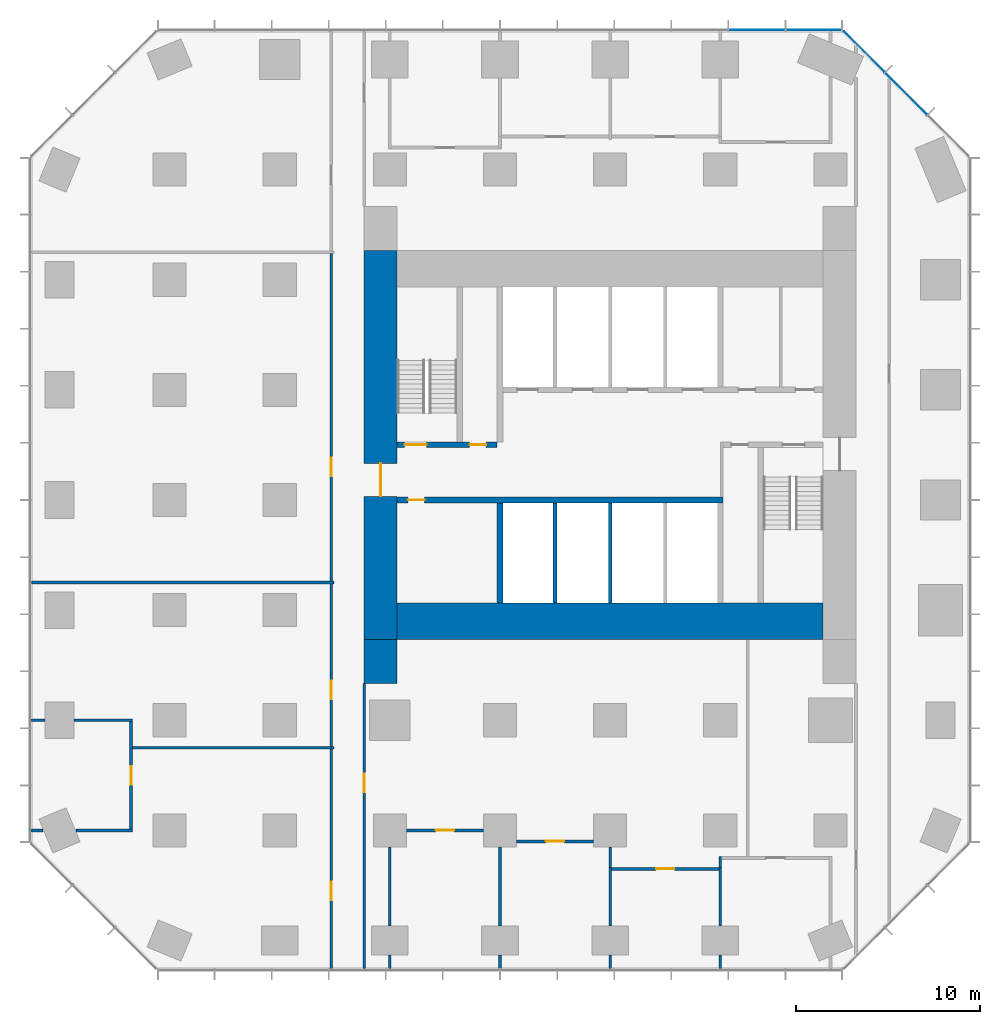
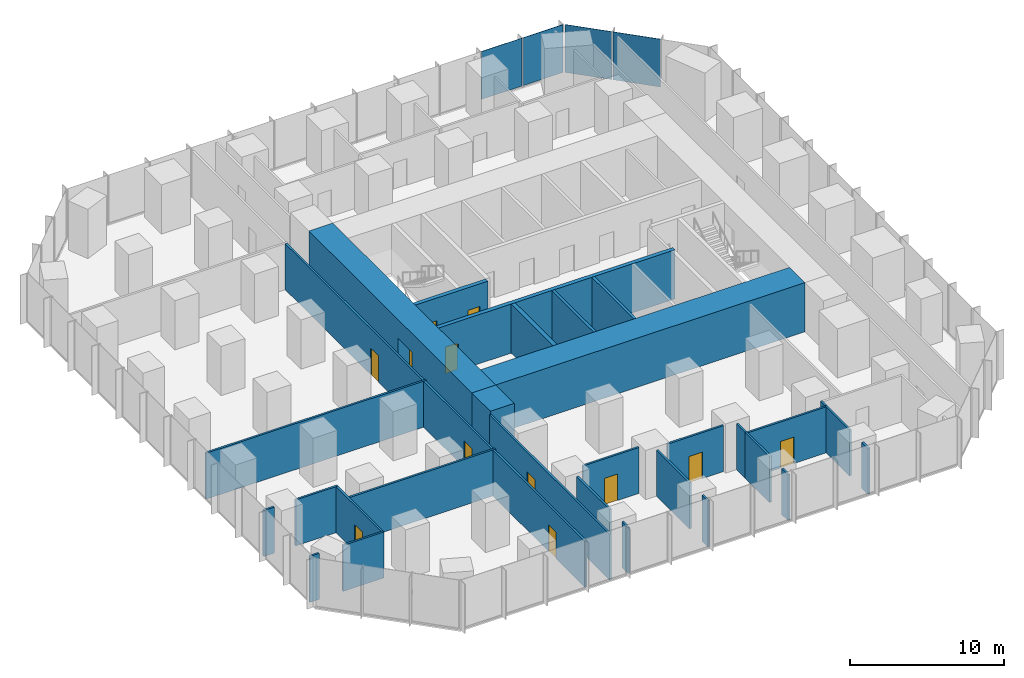
# One storey, part 8 of 11: 32 walls, 12 doors, 4 plates, 12 openings, 2 elements without a shape of their own.
"""IFC4 building model written with IfcOpenShell, lengths in metres."""

from ifc_helpers import new_model, si_unit, direction, frame, frame_2d, origin, origin_2d, place, context, subcontext, project, spatial, rectangle, extrude, material, layer, layer_set, type_object, element, fill, aggregate, save


model = new_model("IFC4")

# Units and contexts
model_context = context("Model", 3, precision=1e-05, world=origin(), true_north=direction((0.0, 1.0)))
body_context = subcontext(model_context, "Body", "Model", "MODEL_VIEW")
ifc_project = project(units=[si_unit("LENGTHUNIT", "METRE"), si_unit("AREAUNIT", "SQUARE_METRE"), si_unit("VOLUMEUNIT", "CUBIC_METRE"), si_unit("PLANEANGLEUNIT", "RADIAN"), si_unit("MASSUNIT", "GRAM", prefix="KILO")], contexts=[model_context])

# Site, building, storey
site_placement = place(None, origin())
site = spatial("IfcSite", under=ifc_project, at=site_placement, CompositionType="ELEMENT")
building_placement = place(site_placement, origin())
building = spatial("IfcBuilding", under=site, at=building_placement, Name="Highveld Stack Headquarters", CompositionType="ELEMENT")
storey_placement = place(building_placement, frame((0.0, 0.0, 33.800048828125)))
storey = spatial("IfcBuildingStorey", under=building, at=storey_placement, Name="L07", CompositionType="ELEMENT", Elevation=33.800048828125)

# Curtain wall, plates
ifc_material_1 = material(Name="Aluminium bronze anodised", Category="aluminium")
ifc_layer_1 = layer(ifc_material_1, 0.199951171875)
ifc_layer_set_1 = layer_set([ifc_layer_1], Name="Aluminium bronze anodised")
curtain_wall_type_1 = type_object("IfcCurtainWallType", Name="CW1 TOWER UNITISED CURTAIN WALL", PredefinedType="NOTDEFINED", material=ifc_layer_set_1)
curtain_wall_1_placement = place(storey_placement, origin())
curtain_wall_1 = element("IfcCurtainWall", 1, at=curtain_wall_1_placement, inside=storey, type_object=curtain_wall_type_1, Name="Curtain wall CW1 L07 N", PredefinedType="NOTDEFINED")
ifc_material_2 = material(Name="Glass bronze tinted double glazed unit", Category="glass")
ifc_layer_2 = layer(ifc_material_2, 0.028076171875)
ifc_layer_set_2 = layer_set([ifc_layer_2], Name="Glass bronze tinted double glazed unit")
plate_type_1 = type_object("IfcPlateType", Name="CW1 PANEL BRONZE TINTED DOUBLE GLAZED UNIT", PredefinedType="CURTAIN_PANEL", material=ifc_layer_set_2)
plate_1_placement = place(storey_placement, frame((17.09130859375, 25.60009765625, 0.10009765625), z_axis=(0.0, 0.0, 1.0), x_axis=(-1.0, 0.0, 0.0)))
plate_1 = element("IfcPlate", 2, at=plate_1_placement, type_object=plate_type_1, Name="CW1 panel L07 1.1", PredefinedType="CURTAIN_PANEL", context=body_context, shape_type="SweptSolid", body=[
    extrude(rectangle(XDim=3.012939453125, YDim=0.028076171875, at=origin_2d()), origin(), (0.0, 0.0, 1.0), 3.800048828125),
])
plate_2_placement = place(storey_placement, frame((13.9970703125, 25.60009765625, 0.10009765625), z_axis=(0.0, 0.0, 1.0), x_axis=(-1.0, 0.0, 0.0)))
plate_2 = element("IfcPlate", 3, at=plate_2_placement, type_object=plate_type_1, Name="CW1 panel L07 2.1", PredefinedType="CURTAIN_PANEL", context=body_context, shape_type="SweptSolid", body=[
    extrude(rectangle(XDim=3.04541015625, YDim=0.028076171875, at=origin_2d()), origin(), (0.0, 0.0, 1.0), 3.800048828125),
])
aggregate(curtain_wall_1, [plate_1, plate_2])

ifc_material_3 = material(Name="Aluminium bronze anodised", Category="aluminium")
ifc_layer_3 = layer(ifc_material_3, 0.199951171875)
ifc_layer_set_3 = layer_set([ifc_layer_3], Name="Aluminium bronze anodised")
curtain_wall_type_2 = type_object("IfcCurtainWallType", Name="CW2 TOWER CHAMFER UNITISED CURTAIN WALL", PredefinedType="NOTDEFINED", material=ifc_layer_set_3)
curtain_wall_2_placement = place(storey_placement, origin())
curtain_wall_2 = element("IfcCurtainWall", 4, at=curtain_wall_2_placement, inside=storey, type_object=curtain_wall_type_2, Name="Curtain wall CW2 L07 NE", PredefinedType="NOTDEFINED")
ifc_material_4 = material(Name="Glass bronze tinted double glazed unit", Category="glass")
ifc_layer_4 = layer(ifc_material_4, 0.028076171875)
ifc_layer_set_4 = layer_set([ifc_layer_4], Name="Glass bronze tinted double glazed unit")
plate_type_2 = type_object("IfcPlateType", Name="CW2 PANEL BRONZE TINTED DOUBLE GLAZED UNIT", PredefinedType="CURTAIN_PANEL", material=ifc_layer_set_4)
plate_3_placement = place(storey_placement, frame((22.13134765625, 22.13134765625, 0.10009765625), z_axis=(0.0, 0.0, 1.0), x_axis=(-0.707106781187, 0.707106781187, 0.0)))
plate_3 = element("IfcPlate", 5, at=plate_3_placement, type_object=plate_type_2, Name="CW2 panel L07 2.1", PredefinedType="CURTAIN_PANEL", context=body_context, shape_type="SweptSolid", body=[
    extrude(rectangle(XDim=3.205322265625, YDim=0.028076171875, at=origin_2d()), origin(), (0.0, 0.0, 1.0), 3.800048828125),
])
plate_4_placement = place(storey_placement, frame((19.8427734375, 24.419921875, 0.10009765625), z_axis=(0.0, 0.0, 1.0), x_axis=(-0.707106781187, 0.707106781187, 0.0)))
plate_4 = element("IfcPlate", 6, at=plate_4_placement, type_object=plate_type_2, Name="CW2 panel L07 3.1", PredefinedType="CURTAIN_PANEL", context=body_context, shape_type="SweptSolid", body=[
    extrude(rectangle(XDim=3.1376953125, YDim=0.028076171875, at=origin_2d()), origin(), (0.0, 0.0, 1.0), 3.800048828125),
])
aggregate(curtain_wall_2, [plate_3, plate_4])

# Wall, opening, door
ifc_material_5 = material(Name="Concrete C60/75", Category="concrete")
ifc_layer_5 = layer(ifc_material_5, 1.800048828125)
ifc_layer_set_5 = layer_set([ifc_layer_5], Name="Concrete C60/75")
wall_type_1 = type_object("IfcWallType", Name="CORE WALL 1800 C60/75", PredefinedType="SHEAR", material=ifc_layer_set_5)
wall_1_placement = place(storey_placement, frame((-6.5, -7.60009765625, 0.0), z_axis=(0.0, 0.0, 1.0), x_axis=(0.0, 1.0, 0.0)))
wall_1 = element("IfcWall", 7, at=wall_1_placement, inside=storey, type_object=wall_type_1, Name="Core wall W L07", PredefinedType="SHEAR", context=body_context, shape_type="SweptSolid", body=[
    extrude(rectangle(XDim=21.2001953125, YDim=1.800048828125, at=frame_2d((10.60009765625, 0.0))), origin(), (0.0, 0.0, 1.0), 3.89990234375),
])
opening_1_placement = place(wall_1_placement, frame((7.800048828125, 0.0, 0.0)))
opening_1 = element("IfcOpeningElement", 8, at=opening_1_placement, cuts=wall_1, Name="Opening L07-01", PredefinedType="OPENING", context=body_context, shape_type="SweptSolid", body=[
    extrude(rectangle(XDim=1.800048828125, YDim=2.39990234375, at=frame_2d((0.89990234375, 1.199951171875))), frame((0.0, 0.909912109375, 0.0), z_axis=(0.0, -1.0, 0.0), x_axis=(1.0, 0.0, 0.0)), (0.0, 0.0, 1.0), 1.820068359375),
])
ifc_material_6 = material(Name="Steel fire door", Category="steel")
door_type_1 = type_object("IfcDoorType", Name="LOBBY FIRE DOOR D4 1800x2400", OperationType="DOUBLE_DOOR_SINGLE_SWING", PredefinedType="DOOR", material=ifc_material_6)
door_1_placement = place(opening_1_placement, origin())
door_1 = element("IfcDoor", 9, at=door_1_placement, inside=storey, type_object=door_type_1, Name="Core west door L07", OperationType="DOUBLE_DOOR_SINGLE_SWING", OverallHeight=2.39990234375, OverallWidth=1.800048828125, PredefinedType="DOOR", context=body_context, shape_type="SweptSolid", body=[
    extrude(rectangle(XDim=1.800048828125, YDim=2.39990234375, at=frame_2d((0.89990234375, 1.199951171875))), frame((0.0, 0.02490234375, 0.0), z_axis=(0.0, -1.0, 0.0), x_axis=(1.0, 0.0, 0.0)), (0.0, 0.0, 1.0), 0.050048828125),
])
fill(opening_1, door_1)

# Wall
ifc_material_7 = material(Name="Concrete C60/75", Category="concrete")
ifc_layer_6 = layer(ifc_material_7, 2.0)
ifc_layer_set_6 = layer_set([ifc_layer_6], Name="Concrete C60/75")
wall_type_2 = type_object("IfcWallType", Name="CORE WALL 2000 C60/75", PredefinedType="SHEAR", material=ifc_layer_set_6)
wall_2_placement = place(storey_placement, frame((-5.60009765625, -6.60009765625, 0.0), z_axis=(0.0, 0.0, 1.0), x_axis=(1.0, 0.0, 0.0)))
element("IfcWall", 10, at=wall_2_placement, inside=storey, type_object=wall_type_2, Name="Core wall S L07", PredefinedType="SHEAR", context=body_context, shape_type="SweptSolid", body=[
    extrude(rectangle(XDim=23.2001953125, YDim=2.0, at=frame_2d((11.60009765625, 0.0))), origin(), (0.0, 0.0, 1.0), 3.89990234375),
])

# Wall, opening, door
ifc_material_8 = material(Name="Concrete C60/75", Category="concrete")
ifc_layer_7 = layer(ifc_material_8, 0.300048828125)
ifc_layer_set_7 = layer_set([ifc_layer_7], Name="Concrete C60/75")
wall_type_3 = type_object("IfcWallType", Name="CORE WALL 300 C60/75", PredefinedType="SHEAR", material=ifc_layer_set_7)
wall_3_placement = place(storey_placement, frame((-5.60009765625, 0.0, 0.0), z_axis=(0.0, 0.0, 1.0), x_axis=(1.0, 0.0, 0.0)))
wall_3 = element("IfcWall", 11, at=wall_3_placement, inside=storey, type_object=wall_type_3, Name="Core wall I-Y0 L07", PredefinedType="SHEAR", context=body_context, shape_type="SweptSolid", body=[
    extrude(rectangle(XDim=17.75, YDim=0.300048828125, at=frame_2d((8.875, 0.0))), origin(), (0.0, 0.0, 1.0), 3.89990234375),
])
opening_2_placement = place(wall_3_placement, frame((0.60009765625, 0.0, 0.0)))
opening_2 = element("IfcOpeningElement", 12, at=opening_2_placement, cuts=wall_3, Name="Opening L07-07", PredefinedType="OPENING", context=body_context, shape_type="SweptSolid", body=[
    extrude(rectangle(XDim=0.89990234375, YDim=2.10009765625, at=frame_2d((0.449951171875, 1.050048828125))), frame((0.0, 0.159912109375, 0.0), z_axis=(0.0, -1.0, 0.0), x_axis=(1.0, 0.0, 0.0)), (0.0, 0.0, 1.0), 0.320068359375),
])
ifc_material_9 = material(Name="Timber door, painted", Category="wood")
door_type_2 = type_object("IfcDoorType", Name="WC DOOR D1 900x2100", OperationType="SINGLE_SWING_LEFT", PredefinedType="DOOR", material=ifc_material_9)
door_2_placement = place(opening_2_placement, origin())
door_2 = element("IfcDoor", 13, at=door_2_placement, inside=storey, type_object=door_type_2, Name="Female WC door L07", OperationType="SINGLE_SWING_LEFT", OverallHeight=2.10009765625, OverallWidth=0.89990234375, PredefinedType="DOOR", context=body_context, shape_type="SweptSolid", body=[
    extrude(rectangle(XDim=0.89990234375, YDim=2.10009765625, at=frame_2d((0.449951171875, 1.050048828125))), frame((0.0, 0.02490234375, 0.0), z_axis=(0.0, -1.0, 0.0), x_axis=(1.0, 0.0, 0.0)), (0.0, 0.0, 1.0), 0.050048828125),
])
fill(opening_2, door_2)

# Wall, openings, doors
wall_4_placement = place(storey_placement, frame((-5.60009765625, 3.0, 0.0), z_axis=(0.0, 0.0, 1.0), x_axis=(1.0, 0.0, 0.0)))
wall_4 = element("IfcWall", 14, at=wall_4_placement, inside=storey, type_object=wall_type_3, Name="Core wall I-Y3W L07", PredefinedType="SHEAR", context=body_context, shape_type="SweptSolid", body=[
    extrude(rectangle(XDim=5.4501953125, YDim=0.300048828125, at=frame_2d((2.72509765625, 0.0))), origin(), (0.0, 0.0, 1.0), 3.89990234375),
])
opening_3_placement = place(wall_4_placement, frame((0.39990234375, 0.0, 0.0)))
opening_3 = element("IfcOpeningElement", 15, at=opening_3_placement, cuts=wall_4, Name="Opening L07-03", PredefinedType="OPENING", context=body_context, shape_type="SweptSolid", body=[
    extrude(rectangle(XDim=1.199951171875, YDim=2.10009765625, at=frame_2d((0.60009765625, 1.050048828125))), frame((0.0, 0.159912109375, 0.0), z_axis=(0.0, -1.0, 0.0), x_axis=(1.0, 0.0, 0.0)), (0.0, 0.0, 1.0), 0.320068359375),
])
opening_4_placement = place(wall_4_placement, frame((3.949951171875, 0.0, 0.0)))
opening_4 = element("IfcOpeningElement", 16, at=opening_4_placement, cuts=wall_4, Name="Opening L07-04", PredefinedType="OPENING", context=body_context, shape_type="SweptSolid", body=[
    extrude(rectangle(XDim=0.89990234375, YDim=2.10009765625, at=frame_2d((0.449951171875, 1.050048828125))), frame((0.0, 0.159912109375, 0.0), z_axis=(0.0, -1.0, 0.0), x_axis=(1.0, 0.0, 0.0)), (0.0, 0.0, 1.0), 0.320068359375),
])
ifc_material_10 = material(Name="Steel fire door", Category="steel")
door_type_3 = type_object("IfcDoorType", Name="RISER ACCESS DOOR D5 900x2100", OperationType="SINGLE_SWING_LEFT", PredefinedType="DOOR", material=ifc_material_10)
door_3_placement = place(opening_4_placement, origin())
door_3 = element("IfcDoor", 17, at=door_3_placement, inside=storey, type_object=door_type_3, Name="Riser R1 door L07", OperationType="SINGLE_SWING_RIGHT", OverallHeight=2.10009765625, OverallWidth=0.89990234375, PredefinedType="DOOR", context=body_context, shape_type="SweptSolid", body=[
    extrude(rectangle(XDim=0.89990234375, YDim=2.10009765625, at=frame_2d((0.449951171875, 1.050048828125))), frame((0.0, 0.02490234375, 0.0), z_axis=(0.0, -1.0, 0.0), x_axis=(1.0, 0.0, 0.0)), (0.0, 0.0, 1.0), 0.050048828125),
])
fill(opening_4, door_3)
ifc_material_11 = material(Name="Steel fire door", Category="steel")
door_type_4 = type_object("IfcDoorType", Name="STAIR FIRE DOOR D3 1200x2100", OperationType="SINGLE_SWING_LEFT", PredefinedType="DOOR", material=ifc_material_11)
door_4_placement = place(opening_3_placement, origin())
door_4 = element("IfcDoor", 18, at=door_4_placement, inside=storey, type_object=door_type_4, Name="Stair S1 door L07", OperationType="SINGLE_SWING_LEFT", OverallHeight=2.10009765625, OverallWidth=1.199951171875, PredefinedType="DOOR", context=body_context, shape_type="SweptSolid", body=[
    extrude(rectangle(XDim=1.199951171875, YDim=2.10009765625, at=frame_2d((0.60009765625, 1.050048828125))), frame((0.0, 0.02490234375, 0.0), z_axis=(0.0, -1.0, 0.0), x_axis=(1.0, 0.0, 0.0)), (0.0, 0.0, 1.0), 0.050048828125),
])
fill(opening_3, door_4)

# Walls
wall_5_placement = place(storey_placement, frame((0.0, -5.60009765625, 0.0), z_axis=(0.0, 0.0, 1.0), x_axis=(0.0, 1.0, 0.0)))
element("IfcWall", 19, at=wall_5_placement, inside=storey, type_object=wall_type_3, Name="Core wall I-X0S L07", PredefinedType="SHEAR", context=body_context, shape_type="SweptSolid", body=[
    extrude(rectangle(XDim=5.4501953125, YDim=0.300048828125, at=frame_2d((2.72509765625, 0.0))), origin(), (0.0, 0.0, 1.0), 3.89990234375),
])
ifc_material_12 = material(Name="Concrete C60/75", Category="concrete")
ifc_layer_8 = layer(ifc_material_12, 1.800048828125)
ifc_layer_set_8 = layer_set([ifc_layer_8], Name="Concrete C60/75")
wall_type_4 = type_object("IfcWallType", Name="CORE WING WALL 1800 C60/75", PredefinedType="SHEAR", material=ifc_layer_set_8)
wall_6_placement = place(storey_placement, frame((-6.5, -10.0, 0.0), z_axis=(0.0, 0.0, 1.0), x_axis=(0.0, 1.0, 0.0)))
element("IfcWall", 20, at=wall_6_placement, inside=storey, type_object=wall_type_4, Name="Core wing wall WS L07", PredefinedType="SHEAR", context=body_context, shape_type="SweptSolid", body=[
    extrude(rectangle(XDim=2.39990234375, YDim=1.800048828125, at=frame_2d((1.199951171875, 0.0))), origin(), (0.0, 0.0, 1.0), 3.89990234375),
])

# Wall, opening, door
ifc_material_13 = material(Name="Laminated glass in aluminium frame", Category="aluminium")
ifc_layer_9 = layer(ifc_material_13, 0.14990234375)
ifc_layer_set_9 = layer_set([ifc_layer_9], Name="Laminated glass in aluminium frame")
wall_type_5 = type_object("IfcWallType", Name="GLAZED PARTITION 150", PredefinedType="PARTITIONING", material=ifc_layer_set_9)
wall_7_placement = place(storey_placement, frame((0.89990234375, -18.60009765625, 0.0), z_axis=(0.0, 0.0, 1.0), x_axis=(1.0, 0.0, 0.0)))
wall_7 = element("IfcWall", 21, at=wall_7_placement, inside=storey, type_object=wall_type_5, Name="Glazed partition Video conference room L07", PredefinedType="PARTITIONING", context=body_context, shape_type="SweptSolid", body=[
    extrude(rectangle(XDim=4.2001953125, YDim=0.14990234375, at=frame_2d((2.10009765625, 0.0))), origin(), (0.0, 0.0, 1.0), 3.64990234375),
])
opening_5_placement = place(wall_7_placement, frame((1.60009765625, 0.0, 0.0)))
opening_5 = element("IfcOpeningElement", 22, at=opening_5_placement, cuts=wall_7, Name="Opening L07-11", PredefinedType="OPENING", context=body_context, shape_type="SweptSolid", body=[
    extrude(rectangle(XDim=1.0, YDim=2.10009765625, at=frame_2d((0.5, 1.050048828125))), frame((0.0, 0.0849609375, 0.0), z_axis=(0.0, -1.0, 0.0), x_axis=(1.0, 0.0, 0.0)), (0.0, 0.0, 1.0), 0.169921875),
])
ifc_material_14 = material(Name="Timber door, oiled ash", Category="wood")
door_type_5 = type_object("IfcDoorType", Name="ROOM DOOR D6 1000x2100", OperationType="SINGLE_SWING_LEFT", PredefinedType="DOOR", material=ifc_material_14)
door_5_placement = place(opening_5_placement, origin())
door_5 = element("IfcDoor", 23, at=door_5_placement, inside=storey, type_object=door_type_5, Name="Video conference room door 1 L07", OperationType="SINGLE_SWING_RIGHT", OverallHeight=2.10009765625, OverallWidth=1.0, PredefinedType="DOOR", context=body_context, shape_type="SweptSolid", body=[
    extrude(rectangle(XDim=1.0, YDim=2.10009765625, at=frame_2d((0.5, 1.050048828125))), frame((0.0, 0.02490234375, 0.0), z_axis=(0.0, -1.0, 0.0), x_axis=(1.0, 0.0, 0.0)), (0.0, 0.0, 1.0), 0.050048828125),
])
fill(opening_5, door_5)

wall_8_placement = place(storey_placement, frame((-5.10009765625, -18.0, 0.0), z_axis=(0.0, 0.0, 1.0), x_axis=(1.0, 0.0, 0.0)))
wall_8 = element("IfcWall", 24, at=wall_8_placement, inside=storey, type_object=wall_type_5, Name="Glazed partition Meeting room L07", PredefinedType="PARTITIONING", context=body_context, shape_type="SweptSolid", body=[
    extrude(rectangle(XDim=4.2001953125, YDim=0.14990234375, at=frame_2d((2.10009765625, 0.0))), origin(), (0.0, 0.0, 1.0), 3.64990234375),
])
opening_6_placement = place(wall_8_placement, frame((1.60009765625, 0.0, 0.0)))
opening_6 = element("IfcOpeningElement", 25, at=opening_6_placement, cuts=wall_8, Name="Opening L07-10", PredefinedType="OPENING", context=body_context, shape_type="SweptSolid", body=[
    extrude(rectangle(XDim=1.0, YDim=2.10009765625, at=frame_2d((0.5, 1.050048828125))), frame((0.0, 0.0849609375, 0.0), z_axis=(0.0, -1.0, 0.0), x_axis=(1.0, 0.0, 0.0)), (0.0, 0.0, 1.0), 0.169921875),
])
door_6_placement = place(opening_6_placement, origin())
door_6 = element("IfcDoor", 26, at=door_6_placement, inside=storey, type_object=door_type_5, Name="Meeting room door 1 L07", OperationType="SINGLE_SWING_RIGHT", OverallHeight=2.10009765625, OverallWidth=1.0, PredefinedType="DOOR", context=body_context, shape_type="SweptSolid", body=[
    extrude(rectangle(XDim=1.0, YDim=2.10009765625, at=frame_2d((0.5, 1.050048828125))), frame((0.0, 0.02490234375, 0.0), z_axis=(0.0, -1.0, 0.0), x_axis=(1.0, 0.0, 0.0)), (0.0, 0.0, 1.0), 0.050048828125),
])
fill(opening_6, door_6)

# Walls
ifc_material_15 = material(Name="Concrete blockwork, fair-faced", Category="masonry")
ifc_layer_10 = layer(ifc_material_15, 0.199951171875)
ifc_layer_set_10 = layer_set([ifc_layer_10], Name="Concrete blockwork, fair-faced")
wall_type_6 = type_object("IfcWallType", Name="LIFT SHAFT ENCLOSURE WALL 200 BLOCKWORK", PredefinedType="SOLIDWALL", material=ifc_layer_set_10)
for number, where, z_axis, x_axis, name in (
    (27, (3.0, -5.60009765625, 0.0), (0.0, 0.0, 1.0), (0.0, 1.0, 0.0), "Lift shaft wall L07"),
    (28, (6.0, -5.60009765625, 0.0), (0.0, 0.0, 1.0), (0.0, 1.0, 0.0), "Lift shaft wall L07"),
):
    element("IfcWall", number, at=place(storey_placement, frame(where, z_axis=z_axis, x_axis=x_axis)), inside=storey, type_object=wall_type_6, Name=name, PredefinedType="SOLIDWALL", context=body_context, shape_type="SweptSolid", body=[
        extrude(rectangle(XDim=5.4501953125, YDim=0.199951171875, at=frame_2d((2.72509765625, 0.0))), origin(), (0.0, 0.0, 1.0), 3.89990234375),
    ])

# Wall, opening, door
ifc_material_16 = material(Name="Gypsum plasterboard on steel studs", Category="steel")
ifc_layer_11 = layer(ifc_material_16, 0.14990234375)
ifc_layer_set_11 = layer_set([ifc_layer_11], Name="Gypsum plasterboard on steel studs")
wall_type_7 = type_object("IfcWallType", Name="PARTITION 150 PLASTERBOARD", PredefinedType="PARTITIONING", material=ifc_layer_set_11)
wall_9_placement = place(storey_placement, frame((6.074951171875, -20.10009765625, 0.0), z_axis=(0.0, 0.0, 1.0), x_axis=(1.0, 0.0, 0.0)))
wall_9 = element("IfcWall", 29, at=wall_9_placement, inside=storey, type_object=wall_type_7, Name="Partition Focus room L07", PredefinedType="PARTITIONING", context=body_context, shape_type="SweptSolid", body=[
    extrude(rectangle(XDim=5.85009765625, YDim=0.14990234375, at=frame_2d((2.925048828125, 0.0))), origin(), (0.0, 0.0, 1.0), 3.64990234375),
])
opening_7_placement = place(wall_9_placement, frame((2.425048828125, 0.0, 0.0)))
opening_7 = element("IfcOpeningElement", 30, at=opening_7_placement, cuts=wall_9, Name="Opening L07-12", PredefinedType="OPENING", context=body_context, shape_type="SweptSolid", body=[
    extrude(rectangle(XDim=1.0, YDim=2.10009765625, at=frame_2d((0.5, 1.050048828125))), frame((0.0, 0.0849609375, 0.0), z_axis=(0.0, -1.0, 0.0), x_axis=(1.0, 0.0, 0.0)), (0.0, 0.0, 1.0), 0.169921875),
])
door_7_placement = place(opening_7_placement, origin())
door_7 = element("IfcDoor", 31, at=door_7_placement, inside=storey, type_object=door_type_5, Name="Focus room door 1 L07", OperationType="SINGLE_SWING_LEFT", OverallHeight=2.10009765625, OverallWidth=1.0, PredefinedType="DOOR", context=body_context, shape_type="SweptSolid", body=[
    extrude(rectangle(XDim=1.0, YDim=2.10009765625, at=frame_2d((0.5, 1.050048828125))), frame((0.0, 0.02490234375, 0.0), z_axis=(0.0, -1.0, 0.0), x_axis=(1.0, 0.0, 0.0)), (0.0, 0.0, 1.0), 0.050048828125),
])
fill(opening_7, door_7)

# Walls
wall_10_placement = place(storey_placement, frame((-25.60009765625, -18.0, 0.0), z_axis=(0.0, 0.0, 1.0), x_axis=(1.0, 0.0, 0.0)))
element("IfcWall", 32, at=wall_10_placement, inside=storey, type_object=wall_type_7, Name="Partition Focus room L07", PredefinedType="PARTITIONING", context=body_context, shape_type="SweptSolid", body=[
    extrude(rectangle(XDim=0.703125, YDim=0.14990234375, at=frame_2d((0.3515625, 0.0))), origin(), (0.0, 0.0, 1.0), 3.64990234375),
])
wall_11_placement = place(storey_placement, frame((-23.10302734375, -18.0, 0.0), z_axis=(0.0, 0.0, 1.0), x_axis=(1.0, 0.0, 0.0)))
element("IfcWall", 33, at=wall_11_placement, inside=storey, type_object=wall_type_7, Name="Partition Focus room L07", PredefinedType="PARTITIONING", context=body_context, shape_type="SweptSolid", body=[
    extrude(rectangle(XDim=3.078125, YDim=0.14990234375, at=frame_2d((1.5390625, 0.0))), origin(), (0.0, 0.0, 1.0), 3.64990234375),
])
wall_12_placement = place(storey_placement, frame((-25.60009765625, -12.0, 0.0), z_axis=(0.0, 0.0, 1.0), x_axis=(1.0, 0.0, 0.0)))
element("IfcWall", 34, at=wall_12_placement, inside=storey, type_object=wall_type_7, Name="Partition Focus room L07", PredefinedType="PARTITIONING", context=body_context, shape_type="SweptSolid", body=[
    extrude(rectangle(XDim=0.800048828125, YDim=0.14990234375, at=frame_2d((0.39990234375, 0.0))), origin(), (0.0, 0.0, 1.0), 3.64990234375),
])
wall_13_placement = place(storey_placement, frame((-23.199951171875, -12.0, 0.0), z_axis=(0.0, 0.0, 1.0), x_axis=(1.0, 0.0, 0.0)))
element("IfcWall", 35, at=wall_13_placement, inside=storey, type_object=wall_type_7, Name="Partition Focus room L07", PredefinedType="PARTITIONING", context=body_context, shape_type="SweptSolid", body=[
    extrude(rectangle(XDim=3.175048828125, YDim=0.14990234375, at=frame_2d((1.58740234375, 0.0))), origin(), (0.0, 0.0, 1.0), 3.64990234375),
])

# Wall, opening, door
wall_14_placement = place(storey_placement, frame((-20.10009765625, -17.925048828125, 0.0), z_axis=(0.0, 0.0, 1.0), x_axis=(0.0, 1.0, 0.0)))
wall_14 = element("IfcWall", 36, at=wall_14_placement, inside=storey, type_object=wall_type_7, Name="Partition Focus room L07", PredefinedType="PARTITIONING", context=body_context, shape_type="SweptSolid", body=[
    extrude(rectangle(XDim=5.85009765625, YDim=0.14990234375, at=frame_2d((2.925048828125, 0.0))), origin(), (0.0, 0.0, 1.0), 3.64990234375),
])
opening_8_placement = place(wall_14_placement, frame((2.425048828125, 0.0, 0.0)))
opening_8 = element("IfcOpeningElement", 37, at=opening_8_placement, cuts=wall_14, Name="Opening L07-14", PredefinedType="OPENING", context=body_context, shape_type="SweptSolid", body=[
    extrude(rectangle(XDim=1.0, YDim=2.10009765625, at=frame_2d((0.5, 1.050048828125))), frame((0.0, 0.0849609375, 0.0), z_axis=(0.0, -1.0, 0.0), x_axis=(1.0, 0.0, 0.0)), (0.0, 0.0, 1.0), 0.169921875),
])
door_8_placement = place(opening_8_placement, origin())
door_8 = element("IfcDoor", 38, at=door_8_placement, inside=storey, type_object=door_type_5, Name="Focus room door 1 L07", OperationType="SINGLE_SWING_RIGHT", OverallHeight=2.10009765625, OverallWidth=1.0, PredefinedType="DOOR", context=body_context, shape_type="SweptSolid", body=[
    extrude(rectangle(XDim=1.0, YDim=2.10009765625, at=frame_2d((0.5, 1.050048828125))), frame((0.0, 0.02490234375, 0.0), z_axis=(0.0, -1.0, 0.0), x_axis=(1.0, 0.0, 0.0)), (0.0, 0.0, 1.0), 0.050048828125),
])
fill(opening_8, door_8)

# Walls
wall_15_placement = place(storey_placement, frame((-6.0, -25.60009765625, 0.0), z_axis=(0.0, 0.0, 1.0), x_axis=(0.0, 1.0, 0.0)))
element("IfcWall", 39, at=wall_15_placement, inside=storey, type_object=wall_type_7, Name="Partition Meeting room L07", PredefinedType="PARTITIONING", context=body_context, shape_type="SweptSolid", body=[
    extrude(rectangle(XDim=0.800048828125, YDim=0.14990234375, at=frame_2d((0.39990234375, 0.0))), origin(), (0.0, 0.0, 1.0), 3.64990234375),
])
wall_16_placement = place(storey_placement, frame((-6.0, -23.199951171875, 0.0), z_axis=(0.0, 0.0, 1.0), x_axis=(0.0, 1.0, 0.0)))
element("IfcWall", 40, at=wall_16_placement, inside=storey, type_object=wall_type_7, Name="Partition Meeting room L07", PredefinedType="PARTITIONING", context=body_context, shape_type="SweptSolid", body=[
    extrude(rectangle(XDim=4.300048828125, YDim=0.14990234375, at=frame_2d((2.14990234375, 0.0))), origin(), (0.0, 0.0, 1.0), 3.64990234375),
])
wall_17_placement = place(storey_placement, frame((0.0, -25.550048828125, 0.0), z_axis=(0.0, 0.0, 1.0), x_axis=(0.0, 1.0, 0.0)))
element("IfcWall", 41, at=wall_17_placement, inside=storey, type_object=wall_type_7, Name="Partition Meeting room / Video conference room L07", PredefinedType="PARTITIONING", context=body_context, shape_type="SweptSolid", body=[
    extrude(rectangle(XDim=0.75, YDim=0.14990234375, at=frame_2d((0.375, 0.0))), origin(), (0.0, 0.0, 1.0), 3.64990234375),
])
wall_18_placement = place(storey_placement, frame((0.0, -23.199951171875, 0.0), z_axis=(0.0, 0.0, 1.0), x_axis=(0.0, 1.0, 0.0)))
element("IfcWall", 42, at=wall_18_placement, inside=storey, type_object=wall_type_7, Name="Partition Meeting room / Video conference room L07", PredefinedType="PARTITIONING", context=body_context, shape_type="SweptSolid", body=[
    extrude(rectangle(XDim=4.300048828125, YDim=0.14990234375, at=frame_2d((2.14990234375, 0.0))), origin(), (0.0, 0.0, 1.0), 3.64990234375),
])
wall_19_placement = place(storey_placement, frame((6.0, -25.60009765625, 0.0), z_axis=(0.0, 0.0, 1.0), x_axis=(0.0, 1.0, 0.0)))
element("IfcWall", 43, at=wall_19_placement, inside=storey, type_object=wall_type_7, Name="Partition Focus room / Video conference room L07", PredefinedType="PARTITIONING", context=body_context, shape_type="SweptSolid", body=[
    extrude(rectangle(XDim=0.800048828125, YDim=0.14990234375, at=frame_2d((0.39990234375, 0.0))), origin(), (0.0, 0.0, 1.0), 3.64990234375),
])
wall_20_placement = place(storey_placement, frame((6.0, -23.199951171875, 0.0), z_axis=(0.0, 0.0, 1.0), x_axis=(0.0, 1.0, 0.0)))
element("IfcWall", 44, at=wall_20_placement, inside=storey, type_object=wall_type_7, Name="Partition Focus room / Video conference room L07", PredefinedType="PARTITIONING", context=body_context, shape_type="SweptSolid", body=[
    extrude(rectangle(XDim=3.175048828125, YDim=0.14990234375, at=frame_2d((1.58740234375, 0.0))), origin(), (0.0, 0.0, 1.0), 3.64990234375),
])
wall_21_placement = place(storey_placement, frame((6.0, -20.02490234375, 0.0), z_axis=(0.0, 0.0, 1.0), x_axis=(0.0, 1.0, 0.0)))
element("IfcWall", 45, at=wall_21_placement, inside=storey, type_object=wall_type_7, Name="Partition Video conference room L07", PredefinedType="PARTITIONING", context=body_context, shape_type="SweptSolid", body=[
    extrude(rectangle(XDim=1.125, YDim=0.14990234375, at=frame_2d((0.5625, 0.0))), origin(), (0.0, 0.0, 1.0), 3.64990234375),
])
wall_22_placement = place(storey_placement, frame((12.0, -25.60009765625, 0.0), z_axis=(0.0, 0.0, 1.0), x_axis=(0.0, 1.0, 0.0)))
element("IfcWall", 46, at=wall_22_placement, inside=storey, type_object=wall_type_7, Name="Partition Focus room / Quiet room L07", PredefinedType="PARTITIONING", context=body_context, shape_type="SweptSolid", body=[
    extrude(rectangle(XDim=0.800048828125, YDim=0.14990234375, at=frame_2d((0.39990234375, 0.0))), origin(), (0.0, 0.0, 1.0), 3.64990234375),
])
wall_23_placement = place(storey_placement, frame((12.0, -23.199951171875, 0.0), z_axis=(0.0, 0.0, 1.0), x_axis=(0.0, 1.0, 0.0)))
element("IfcWall", 47, at=wall_23_placement, inside=storey, type_object=wall_type_7, Name="Partition Focus room / Quiet room L07", PredefinedType="PARTITIONING", context=body_context, shape_type="SweptSolid", body=[
    extrude(rectangle(XDim=3.175048828125, YDim=0.14990234375, at=frame_2d((1.58740234375, 0.0))), origin(), (0.0, 0.0, 1.0), 3.64990234375),
])
wall_24_placement = place(storey_placement, frame((12.0, -20.02490234375, 0.0), z_axis=(0.0, 0.0, 1.0), x_axis=(0.0, 1.0, 0.0)))
element("IfcWall", 48, at=wall_24_placement, inside=storey, type_object=wall_type_7, Name="Partition Quiet room L07", PredefinedType="PARTITIONING", context=body_context, shape_type="SweptSolid", body=[
    extrude(rectangle(XDim=0.599853515625, YDim=0.14990234375, at=frame_2d((0.2998046875, 0.0))), origin(), (0.0, 0.0, 1.0), 3.64990234375),
])
wall_25_placement = place(storey_placement, frame((-25.60009765625, -4.5, 0.0), z_axis=(0.0, 0.0, 1.0), x_axis=(1.0, 0.0, 0.0)))
element("IfcWall", 49, at=wall_25_placement, inside=storey, type_object=wall_type_7, Name="Partition office neighbourhood L07", PredefinedType="PARTITIONING", context=body_context, shape_type="SweptSolid", body=[
    extrude(rectangle(XDim=16.550048828125, YDim=0.14990234375, at=frame_2d((8.27490234375, 0.0))), origin(), (0.0, 0.0, 1.0), 3.64990234375),
])
wall_26_placement = place(storey_placement, frame((-20.02490234375, -13.5, 0.0), z_axis=(0.0, 0.0, 1.0), x_axis=(1.0, 0.0, 0.0)))
element("IfcWall", 50, at=wall_26_placement, inside=storey, type_object=wall_type_7, Name="Partition office neighbourhood L07", PredefinedType="PARTITIONING", context=body_context, shape_type="SweptSolid", body=[
    extrude(rectangle(XDim=10.974853515625, YDim=0.14990234375, at=frame_2d((5.4873046875, 0.0))), origin(), (0.0, 0.0, 1.0), 3.64990234375),
])

# Wall, opening, door
wall_27_placement = place(storey_placement, frame((-9.199951171875, -25.550048828125, 0.0), z_axis=(0.0, 0.0, 1.0), x_axis=(0.0, 1.0, 0.0)))
wall_27 = element("IfcWall", 51, at=wall_27_placement, inside=storey, type_object=wall_type_7, Name="Partition office neighbourhood L07", PredefinedType="PARTITIONING", context=body_context, shape_type="SweptSolid", body=[
    extrude(rectangle(XDim=11.97509765625, YDim=0.14990234375, at=frame_2d((5.987548828125, 0.0))), origin(), (0.0, 0.0, 1.0), 3.64990234375),
])
opening_9_placement = place(wall_27_placement, frame((3.75, 0.0, 0.0)))
opening_9 = element("IfcOpeningElement", 52, at=opening_9_placement, cuts=wall_27, Name="Opening L07-19", PredefinedType="OPENING", context=body_context, shape_type="SweptSolid", body=[
    extrude(rectangle(XDim=1.0, YDim=2.10009765625, at=frame_2d((0.5, 1.050048828125))), frame((0.0, 0.0849609375, 0.0), z_axis=(0.0, -1.0, 0.0), x_axis=(1.0, 0.0, 0.0)), (0.0, 0.0, 1.0), 0.169921875),
])
door_9_placement = place(opening_9_placement, origin())
door_9 = element("IfcDoor", 53, at=door_9_placement, inside=storey, type_object=door_type_5, Name="Office neighbourhood door L07", OperationType="SINGLE_SWING_LEFT", OverallHeight=2.10009765625, OverallWidth=1.0, PredefinedType="DOOR", context=body_context, shape_type="SweptSolid", body=[
    extrude(rectangle(XDim=1.0, YDim=2.10009765625, at=frame_2d((0.5, 1.050048828125))), frame((0.0, 0.02490234375, 0.0), z_axis=(0.0, -1.0, 0.0), x_axis=(1.0, 0.0, 0.0)), (0.0, 0.0, 1.0), 0.050048828125),
])
fill(opening_9, door_9)

wall_28_placement = place(storey_placement, frame((-9.199951171875, -13.425048828125, 0.0), z_axis=(0.0, 0.0, 1.0), x_axis=(0.0, 1.0, 0.0)))
wall_28 = element("IfcWall", 54, at=wall_28_placement, inside=storey, type_object=wall_type_7, Name="Partition office neighbourhood L07", PredefinedType="PARTITIONING", context=body_context, shape_type="SweptSolid", body=[
    extrude(rectangle(XDim=8.85009765625, YDim=0.14990234375, at=frame_2d((4.425048828125, 0.0))), origin(), (0.0, 0.0, 1.0), 3.64990234375),
])
opening_10_placement = place(wall_28_placement, frame((2.574951171875, 0.0, 0.0)))
opening_10 = element("IfcOpeningElement", 55, at=opening_10_placement, cuts=wall_28, Name="Opening L07-22", PredefinedType="OPENING", context=body_context, shape_type="SweptSolid", body=[
    extrude(rectangle(XDim=1.0, YDim=2.10009765625, at=frame_2d((0.5, 1.050048828125))), frame((0.0, 0.0849609375, 0.0), z_axis=(0.0, -1.0, 0.0), x_axis=(1.0, 0.0, 0.0)), (0.0, 0.0, 1.0), 0.169921875),
])
door_10_placement = place(opening_10_placement, origin())
door_10 = element("IfcDoor", 56, at=door_10_placement, inside=storey, type_object=door_type_5, Name="Office neighbourhood door L07", OperationType="SINGLE_SWING_LEFT", OverallHeight=2.10009765625, OverallWidth=1.0, PredefinedType="DOOR", context=body_context, shape_type="SweptSolid", body=[
    extrude(rectangle(XDim=1.0, YDim=2.10009765625, at=frame_2d((0.5, 1.050048828125))), frame((0.0, 0.02490234375, 0.0), z_axis=(0.0, -1.0, 0.0), x_axis=(1.0, 0.0, 0.0)), (0.0, 0.0, 1.0), 0.050048828125),
])
fill(opening_10, door_10)

wall_29_placement = place(storey_placement, frame((-9.199951171875, -4.425048828125, 0.0), z_axis=(0.0, 0.0, 1.0), x_axis=(0.0, 1.0, 0.0)))
wall_29 = element("IfcWall", 57, at=wall_29_placement, inside=storey, type_object=wall_type_7, Name="Partition office neighbourhood L07", PredefinedType="PARTITIONING", context=body_context, shape_type="SweptSolid", body=[
    extrude(rectangle(XDim=17.85009765625, YDim=0.14990234375, at=frame_2d((8.925048828125, 0.0))), origin(), (0.0, 0.0, 1.0), 3.64990234375),
])
opening_11_placement = place(wall_29_placement, frame((5.72509765625, 0.0, 0.0)))
opening_11 = element("IfcOpeningElement", 58, at=opening_11_placement, cuts=wall_29, Name="Opening L07-24", PredefinedType="OPENING", context=body_context, shape_type="SweptSolid", body=[
    extrude(rectangle(XDim=1.0, YDim=2.10009765625, at=frame_2d((0.5, 1.050048828125))), frame((0.0, 0.0849609375, 0.0), z_axis=(0.0, -1.0, 0.0), x_axis=(1.0, 0.0, 0.0)), (0.0, 0.0, 1.0), 0.169921875),
])
door_11_placement = place(opening_11_placement, origin())
door_11 = element("IfcDoor", 59, at=door_11_placement, inside=storey, type_object=door_type_5, Name="Office neighbourhood door L07", OperationType="SINGLE_SWING_LEFT", OverallHeight=2.10009765625, OverallWidth=1.0, PredefinedType="DOOR", context=body_context, shape_type="SweptSolid", body=[
    extrude(rectangle(XDim=1.0, YDim=2.10009765625, at=frame_2d((0.5, 1.050048828125))), frame((0.0, 0.02490234375, 0.0), z_axis=(0.0, -1.0, 0.0), x_axis=(1.0, 0.0, 0.0)), (0.0, 0.0, 1.0), 0.050048828125),
])
fill(opening_11, door_11)

wall_30_placement = place(storey_placement, frame((-7.39990234375, -25.60009765625, 0.0), z_axis=(0.0, 0.0, 1.0), x_axis=(0.0, 1.0, 0.0)))
wall_30 = element("IfcWall", 60, at=wall_30_placement, inside=storey, type_object=wall_type_7, Name="Partition office neighbourhood L07", PredefinedType="PARTITIONING", context=body_context, shape_type="SweptSolid", body=[
    extrude(rectangle(XDim=15.60009765625, YDim=0.14990234375, at=frame_2d((7.800048828125, 0.0))), origin(), (0.0, 0.0, 1.0), 3.64990234375),
])
opening_12_placement = place(wall_30_placement, frame((9.675048828125, 0.0, 0.0)))
opening_12 = element("IfcOpeningElement", 61, at=opening_12_placement, cuts=wall_30, Name="Opening L07-21", PredefinedType="OPENING", context=body_context, shape_type="SweptSolid", body=[
    extrude(rectangle(XDim=1.0, YDim=2.10009765625, at=frame_2d((0.5, 1.050048828125))), frame((0.0, 0.0849609375, 0.0), z_axis=(0.0, -1.0, 0.0), x_axis=(1.0, 0.0, 0.0)), (0.0, 0.0, 1.0), 0.169921875),
])
door_12_placement = place(opening_12_placement, origin())
door_12 = element("IfcDoor", 62, at=door_12_placement, inside=storey, type_object=door_type_5, Name="Office neighbourhood door L07", OperationType="SINGLE_SWING_RIGHT", OverallHeight=2.10009765625, OverallWidth=1.0, PredefinedType="DOOR", context=body_context, shape_type="SweptSolid", body=[
    extrude(rectangle(XDim=1.0, YDim=2.10009765625, at=frame_2d((0.5, 1.050048828125))), frame((0.0, 0.02490234375, 0.0), z_axis=(0.0, -1.0, 0.0), x_axis=(1.0, 0.0, 0.0)), (0.0, 0.0, 1.0), 0.050048828125),
])
fill(opening_12, door_12)

save(model, "model.ifc")
